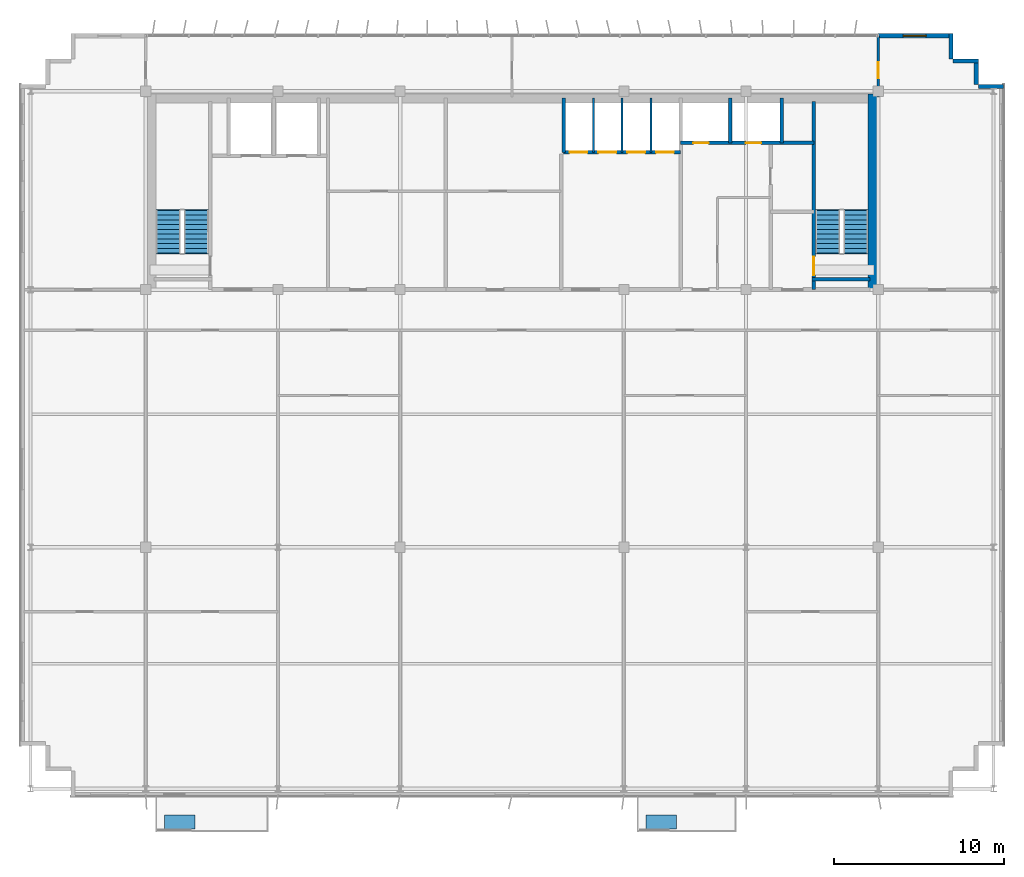
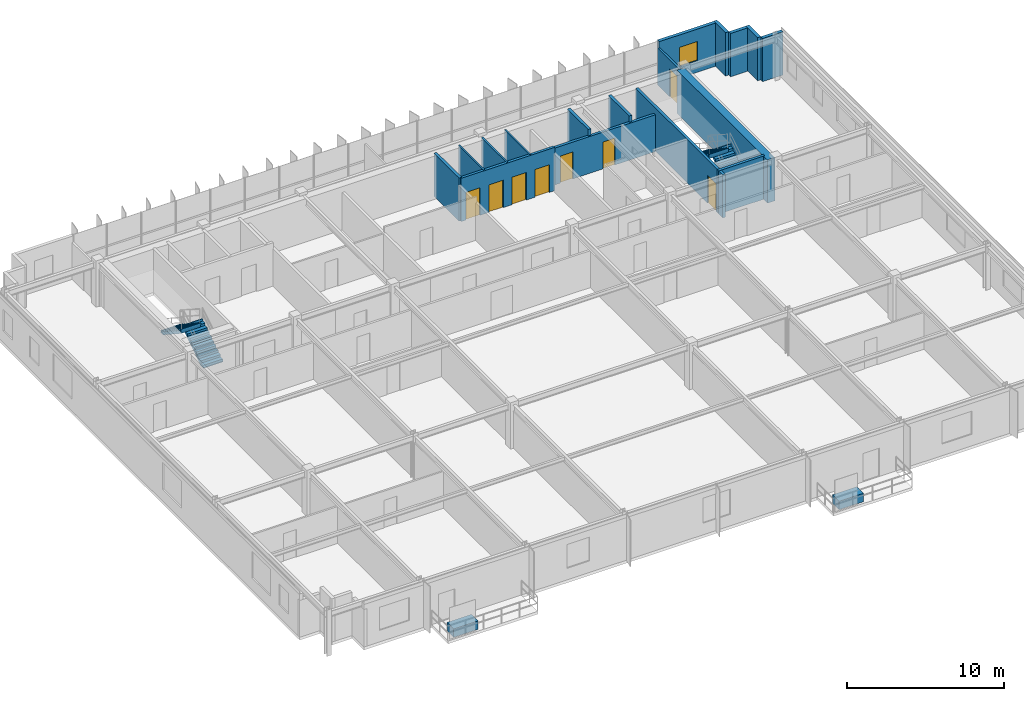
# One storey, part 19 of 21: 17 walls, 8 doors, 4 stair flights, 2 discrete accessories, 1 window, 9 openings, 2 elements without a shape of their own.
"""IFC4 building model written with IfcOpenShell, lengths in metres."""

from ifc_helpers import new_model, si_unit, direction, frame, frame_2d, origin, origin_2d, place, context, subcontext, project, spatial, polyline, rectangle, outline, extrude, source, transform, mapped, material, layer, layer_set, type_object, element, fill, aggregate, save


model = new_model("IFC4")

# Units and contexts
model_context = context("Model", 3, precision=1e-05, world=origin(), true_north=direction((0.0, 1.0)))
body_context = subcontext(model_context, "Body", "Model", "MODEL_VIEW")
ifc_project = project(units=[si_unit("LENGTHUNIT", "METRE"), si_unit("AREAUNIT", "SQUARE_METRE"), si_unit("VOLUMEUNIT", "CUBIC_METRE"), si_unit("PLANEANGLEUNIT", "RADIAN"), si_unit("MASSUNIT", "GRAM", prefix="KILO")], contexts=[model_context])

# Site, building, storey
site_placement = place(None, origin())
site = spatial("IfcSite", under=ifc_project, at=site_placement, CompositionType="ELEMENT")
building_placement = place(site_placement, origin())
building = spatial("IfcBuilding", under=site, at=building_placement, Name="Trelvane Seafront Commons", CompositionType="ELEMENT")
storey_placement = place(building_placement, frame((0.0, 0.0, 252.300048828125)))
storey = spatial("IfcBuildingStorey", under=building, at=storey_placement, Name="L65", CompositionType="ELEMENT", Elevation=252.300048828125)

# Wall, opening, window
ifc_material_1 = material(Name="Precast concrete C40/50", Category="concrete")
ifc_layer_1 = layer(ifc_material_1, 0.239990234375, Name="ARCH-WALL-EXT240")
ifc_layer_set_1 = layer_set([ifc_layer_1], Name="Precast concrete C40/50")
wall_type_1 = type_object("IfcWallType", Name="ARCH-WALL-EXT240", PredefinedType="SOLIDWALL", material=ifc_layer_set_1)
wall_1_placement = place(storey_placement, frame((58.800048828125, 48.3701171875, 0.0), z_axis=(0.0, 0.0, 1.0), x_axis=(1.0, 0.0, 0.0)))
wall_1 = element("IfcWall", 1, at=wall_1_placement, inside=storey, type_object=wall_type_1, Name="EW-L65-NE-1299", PredefinedType="SOLIDWALL", context=body_context, shape_type="SweptSolid", body=[
    extrude(rectangle(XDim=4.300048828125, YDim=0.239990234375, at=frame_2d((2.14990234375, 0.0))), origin(), (0.0, 0.0, 1.0), 3.369873046875),
])
opening_1_placement = place(wall_1_placement, frame((1.47509765625, 0.0, 0.89990234375)))
opening_1 = element("IfcOpeningElement", 2, at=opening_1_placement, cuts=wall_1, Name="Opening W09", PredefinedType="OPENING", context=body_context, shape_type="SweptSolid", body=[
    extrude(rectangle(XDim=1.35009765625, YDim=1.5, at=frame_2d((0.675048828125, 0.75))), frame((0.0, 0.1298828125, 0.0), z_axis=(0.0, -1.0, 0.0), x_axis=(1.0, 0.0, 0.0)), (0.0, 0.0, 1.0), 0.260009765625),
])
ifc_material_2 = material(Name="Low-E coastal double glazing", Category="glass")
window_type = type_object("IfcWindowType", Name="ARCH-WIN-W09", PartitioningType="SINGLE_PANEL", PredefinedType="WINDOW", material=ifc_material_2)
shared_shape_1 = source(origin(), body_context, "Body", "SweptSolid", [
    extrude(rectangle(XDim=1.35009765625, YDim=1.5, at=frame_2d((0.675048828125, 0.75))), frame((0.0, 0.030029296875, 0.0), z_axis=(0.0, -1.0, 0.0), x_axis=(1.0, 0.0, 0.0)), (0.0, 0.0, 1.0), 0.06005859375),
])
window_placement = place(opening_1_placement, origin())
window = element("IfcWindow", 3, at=window_placement, inside=storey, type_object=window_type, Name="WIN-L65-01555", OverallHeight=1.5, OverallWidth=1.35009765625, PartitioningType="SINGLE_PANEL", PredefinedType="WINDOW", context=body_context, shape_type="MappedRepresentation", body=[
    mapped(shared_shape_1, transform((0.0, 0.0, 0.0), x_axis=(1.0, 0.0, 0.0), y_axis=(0.0, 1.0, 0.0), z_axis=(0.0, 0.0, 1.0), scale=1.0)),
])
fill(opening_1, window)

# Walls
for number, where, z_axis, x_axis, name in (
    (4, (63.080078125, 48.5, 0.0), (0.0, 0.0, 1.0), (0.0, -1.0, 0.0), "EW-L65-01308"),
    (5, (63.199951171875, 46.8798828125, 0.0), (0.0, 0.0, 1.0), (1.0, 0.0, 0.0), "EW-L65-01309"),
    (6, (64.580078125, 47.0, 0.0), (0.0, 0.0, 1.0), (0.0, -1.0, 0.0), "EW-L65-01310"),
    (7, (64.699951171875, 45.3798828125, 0.0), (0.0, 0.0, 1.0), (1.0, 0.0, 0.0), "EW-L65-01311"),
):
    element("IfcWall", number, at=place(storey_placement, frame(where, z_axis=z_axis, x_axis=x_axis)), inside=storey, type_object=wall_type_1, Name=name, PredefinedType="SOLIDWALL", context=body_context, shape_type="SweptSolid", body=[
        extrude(rectangle(XDim=1.5, YDim=0.239990234375, at=frame_2d((0.75, 0.0))), origin(), (0.0, 0.0, 1.0), 3.369873046875),
    ])
ifc_material_3 = material(Name="Gypsum Drywall Acoustic Partition")
ifc_layer_2 = layer(ifc_material_3, 0.1201171875, Name="ARCH-WALL-PART120")
ifc_layer_set_2 = layer_set([ifc_layer_2], Name="Gypsum Drywall Acoustic Partition")
wall_type_2 = type_object("IfcWallType", Name="ARCH-WALL-PART120", PredefinedType="PARTITIONING", material=ifc_layer_set_2)
for number, where, z_axis, x_axis, name in (
    (8, (42.0, 41.5, 0.0), (0.0, 0.0, 1.0), (0.0, 1.0, 0.0), "W-L65-PH-DIV1-020"),
    (9, (43.699951171875, 41.5, 0.0), (0.0, 0.0, 1.0), (0.0, 1.0, 0.0), "W-L65-PH-DIV2-021"),
    (10, (45.39990234375, 41.5, 0.0), (0.0, 0.0, 1.0), (0.0, 1.0, 0.0), "W-L65-PH-DIV3-022"),
):
    element("IfcWall", number, at=place(storey_placement, frame(where, z_axis=z_axis, x_axis=x_axis)), inside=storey, type_object=wall_type_2, Name=name, PredefinedType="PARTITIONING", context=body_context, shape_type="SweptSolid", body=[
        extrude(rectangle(XDim=3.199951171875, YDim=0.1201171875, at=frame_2d((1.60009765625, 0.0))), origin(), (0.0, 0.0, 1.0), 3.369873046875),
    ])

# Wall, opening, door
ifc_layer_3 = layer(ifc_material_3, 0.14990234375, Name="ARCH-WALL-PART150")
ifc_layer_set_3 = layer_set([ifc_layer_3], Name="Gypsum Drywall Acoustic Partition")
wall_type_3 = type_object("IfcWallType", Name="ARCH-WALL-PART150", PredefinedType="PARTITIONING", material=ifc_layer_set_3)
wall_2_placement = place(storey_placement, frame((58.800048828125, 44.75, 0.0), z_axis=(0.0, 0.0, 1.0), x_axis=(0.0, 1.0, 0.0)))
wall_2 = element("IfcWall", 11, at=wall_2_placement, inside=storey, type_object=wall_type_3, Name="W-L65-N-LINK-E-039", PredefinedType="PARTITIONING", context=body_context, shape_type="SweptSolid", body=[
    extrude(rectangle(XDim=3.610107421875, YDim=0.14990234375, at=frame_2d((1.80517578125, 0.0))), origin(), (0.0, 0.0, 1.0), 2.869873046875),
])
opening_2_placement = place(wall_2_placement, frame((1.10009765625, 0.0, 0.0)))
opening_2 = element("IfcOpeningElement", 12, at=opening_2_placement, cuts=wall_2, Name="Opening FD-L65-25", PredefinedType="OPENING", context=body_context, shape_type="SweptSolid", body=[
    extrude(rectangle(XDim=0.949951171875, YDim=2.14990234375, at=frame_2d((0.47509765625, 1.074951171875))), frame((0.0, 0.0849609375, 0.0), z_axis=(0.0, -1.0, 0.0), x_axis=(1.0, 0.0, 0.0)), (0.0, 0.0, 1.0), 0.169921875),
])
ifc_material_4 = material(Name="Powder-coated aluminium frame", Category="aluminium")
door_type_1 = type_object("IfcDoorType", Name="ARCH-DR-FD60-950", OperationType="NOTDEFINED", PredefinedType="DOOR", material=ifc_material_4)
shared_shape_2 = source(origin(), body_context, "Body", "SweptSolid", [
    extrude(rectangle(XDim=0.949951171875, YDim=2.14990234375, at=frame_2d((0.47509765625, 1.074951171875))), frame((0.0, 0.02490234375, 0.0), z_axis=(0.0, -1.0, 0.0), x_axis=(1.0, 0.0, 0.0)), (0.0, 0.0, 1.0), 0.050048828125),
])
door_1_placement = place(opening_2_placement, origin())
door_1 = element("IfcDoor", 13, at=door_1_placement, inside=storey, type_object=door_type_1, Name="L65 Door 25", OperationType="SINGLE_SWING_LEFT", OverallHeight=2.14990234375, OverallWidth=0.949951171875, PredefinedType="DOOR", context=body_context, shape_type="MappedRepresentation", body=[
    mapped(shared_shape_2, transform((0.0, 0.0, 0.0), x_axis=(1.0, 0.0, 0.0), y_axis=(0.0, 1.0, 0.0), z_axis=(0.0, 0.0, 1.0), scale=1.0)),
])
fill(opening_2, door_1)

# Wall, openings, doors
ifc_material_5 = material(Name="Concrete C40/50", Category="concrete")
ifc_layer_4 = layer(ifc_material_5, 0.199951171875, Name="ARCH-WALL-SHAFT200")
ifc_layer_set_4 = layer_set([ifc_layer_4], Name="Concrete C40/50")
wall_type_4 = type_object("IfcWallType", Name="ARCH-WALL-SHAFT200", PredefinedType="SOLIDWALL", material=ifc_layer_set_4)
wall_3_placement = place(storey_placement, frame((40.25, 41.5, 0.0), z_axis=(0.0, 0.0, 1.0), x_axis=(1.0, 0.0, 0.0)))
wall_3 = element("IfcWall", 14, at=wall_3_placement, inside=storey, type_object=wall_type_4, Name="W-L65-PH-FRONT-018", PredefinedType="SOLIDWALL", context=body_context, shape_type="SweptSolid", body=[
    extrude(rectangle(XDim=6.89990234375, YDim=0.199951171875, at=frame_2d((3.449951171875, 0.0))), origin(), (0.0, 0.0, 1.0), 3.369873046875),
])
opening_3_placement = place(wall_3_placement, frame((0.35009765625, 0.0, 0.0)))
opening_3 = element("IfcOpeningElement", 15, at=opening_3_placement, cuts=wall_3, Name="Opening LD-PH1-L65", PredefinedType="OPENING", context=body_context, shape_type="SweptSolid", body=[
    extrude(rectangle(XDim=1.050048828125, YDim=2.14990234375, at=frame_2d((0.52490234375, 1.074951171875))), frame((0.0, 0.10986328125, 0.0), z_axis=(0.0, -1.0, 0.0), x_axis=(1.0, 0.0, 0.0)), (0.0, 0.0, 1.0), 0.219970703125),
])
opening_4_placement = place(wall_3_placement, frame((2.050048828125, 0.0, 0.0)))
opening_4 = element("IfcOpeningElement", 16, at=opening_4_placement, cuts=wall_3, Name="Opening LD-PH2-L65", PredefinedType="OPENING", context=body_context, shape_type="SweptSolid", body=[
    extrude(rectangle(XDim=1.050048828125, YDim=2.14990234375, at=frame_2d((0.52490234375, 1.074951171875))), frame((0.0, 0.10986328125, 0.0), z_axis=(0.0, -1.0, 0.0), x_axis=(1.0, 0.0, 0.0)), (0.0, 0.0, 1.0), 0.219970703125),
])
opening_5_placement = place(wall_3_placement, frame((3.75, 0.0, 0.0)))
opening_5 = element("IfcOpeningElement", 17, at=opening_5_placement, cuts=wall_3, Name="Opening LD-PH3-L65", PredefinedType="OPENING", context=body_context, shape_type="SweptSolid", body=[
    extrude(rectangle(XDim=1.050048828125, YDim=2.14990234375, at=frame_2d((0.52490234375, 1.074951171875))), frame((0.0, 0.10986328125, 0.0), z_axis=(0.0, -1.0, 0.0), x_axis=(1.0, 0.0, 0.0)), (0.0, 0.0, 1.0), 0.219970703125),
])
opening_6_placement = place(wall_3_placement, frame((5.449951171875, 0.0, 0.0)))
opening_6 = element("IfcOpeningElement", 18, at=opening_6_placement, cuts=wall_3, Name="Opening LD-PH4-L65", PredefinedType="OPENING", context=body_context, shape_type="SweptSolid", body=[
    extrude(rectangle(XDim=1.050048828125, YDim=2.14990234375, at=frame_2d((0.52490234375, 1.074951171875))), frame((0.0, 0.10986328125, 0.0), z_axis=(0.0, -1.0, 0.0), x_axis=(1.0, 0.0, 0.0)), (0.0, 0.0, 1.0), 0.219970703125),
])
ifc_material_6 = material(Name="Stainless steel balustrade", Category="steel")
door_type_2 = type_object("IfcDoorType", Name="ARCH-DR-LD1050", OperationType="DOUBLE_DOOR_SLIDING", PredefinedType="DOOR", material=ifc_material_6)
shared_shape_3 = source(origin(), body_context, "Body", "SweptSolid", [
    extrude(rectangle(XDim=1.050048828125, YDim=2.14990234375, at=frame_2d((0.52490234375, 1.074951171875))), frame((0.0, 0.02490234375, 0.0), z_axis=(0.0, -1.0, 0.0), x_axis=(1.0, 0.0, 0.0)), (0.0, 0.0, 1.0), 0.050048828125),
])
door_2_placement = place(opening_3_placement, origin())
door_2 = element("IfcDoor", 19, at=door_2_placement, inside=storey, type_object=door_type_2, Name="L65 Passenger Lift PH-1 Landing Door", OperationType="DOUBLE_DOOR_SLIDING", OverallHeight=2.14990234375, OverallWidth=1.050048828125, PredefinedType="DOOR", context=body_context, shape_type="MappedRepresentation", body=[
    mapped(shared_shape_3, transform((0.0, 0.0, 0.0), x_axis=(1.0, 0.0, 0.0), y_axis=(0.0, 1.0, 0.0), z_axis=(0.0, 0.0, 1.0), scale=1.0)),
])
fill(opening_3, door_2)
door_3_placement = place(opening_4_placement, origin())
door_3 = element("IfcDoor", 20, at=door_3_placement, inside=storey, type_object=door_type_2, Name="L65 Passenger Lift PH-2 Landing Door", OperationType="DOUBLE_DOOR_SLIDING", OverallHeight=2.14990234375, OverallWidth=1.050048828125, PredefinedType="DOOR", context=body_context, shape_type="MappedRepresentation", body=[
    mapped(shared_shape_3, transform((0.0, 0.0, 0.0), x_axis=(1.0, 0.0, 0.0), y_axis=(0.0, 1.0, 0.0), z_axis=(0.0, 0.0, 1.0), scale=1.0)),
])
fill(opening_4, door_3)
door_4_placement = place(opening_5_placement, origin())
door_4 = element("IfcDoor", 21, at=door_4_placement, inside=storey, type_object=door_type_2, Name="L65 Passenger Lift PH-3 Landing Door", OperationType="DOUBLE_DOOR_SLIDING", OverallHeight=2.14990234375, OverallWidth=1.050048828125, PredefinedType="DOOR", context=body_context, shape_type="MappedRepresentation", body=[
    mapped(shared_shape_3, transform((0.0, 0.0, 0.0), x_axis=(1.0, 0.0, 0.0), y_axis=(0.0, 1.0, 0.0), z_axis=(0.0, 0.0, 1.0), scale=1.0)),
])
fill(opening_5, door_4)
door_5_placement = place(opening_6_placement, origin())
door_5 = element("IfcDoor", 22, at=door_5_placement, inside=storey, type_object=door_type_2, Name="L65 Passenger Lift PH-4 Landing Door", OperationType="DOUBLE_DOOR_SLIDING", OverallHeight=2.14990234375, OverallWidth=1.050048828125, PredefinedType="DOOR", context=body_context, shape_type="MappedRepresentation", body=[
    mapped(shared_shape_3, transform((0.0, 0.0, 0.0), x_axis=(1.0, 0.0, 0.0), y_axis=(0.0, 1.0, 0.0), z_axis=(0.0, 0.0, 1.0), scale=1.0)),
])
fill(opening_6, door_5)

# Wall
wall_4_placement = place(storey_placement, frame((40.25, 41.5, 0.0), z_axis=(0.0, 0.0, 1.0), x_axis=(0.0, 1.0, 0.0)))
element("IfcWall", 23, at=wall_4_placement, inside=storey, type_object=wall_type_4, Name="W-L65-PH-WEST-SH-019", PredefinedType="SOLIDWALL", context=body_context, shape_type="SweptSolid", body=[
    extrude(rectangle(XDim=3.199951171875, YDim=0.199951171875, at=frame_2d((1.60009765625, 0.0))), origin(), (0.0, 0.0, 1.0), 3.369873046875),
])

# Wall, openings, doors
wall_5_placement = place(storey_placement, frame((47.14990234375, 42.050048828125, 0.0), z_axis=(0.0, 0.0, 1.0), x_axis=(1.0, 0.0, 0.0)))
wall_5 = element("IfcWall", 24, at=wall_5_placement, inside=storey, type_object=wall_type_4, Name="W-L65-RSR-S-027", PredefinedType="SOLIDWALL", context=body_context, shape_type="SweptSolid", body=[
    extrude(rectangle(XDim=7.85009765625, YDim=0.199951171875, at=frame_2d((3.925048828125, 0.0))), origin(), (0.0, 0.0, 1.0), 2.869873046875),
])
opening_7_placement = place(wall_5_placement, frame((0.75, 0.0, 0.0)))
opening_7 = element("IfcOpeningElement", 25, at=opening_7_placement, cuts=wall_5, Name="Opening FD-L65-15", PredefinedType="OPENING", context=body_context, shape_type="SweptSolid", body=[
    extrude(rectangle(XDim=0.89990234375, YDim=2.10009765625, at=frame_2d((0.449951171875, 1.050048828125))), frame((0.0, 0.10986328125, 0.0), z_axis=(0.0, -1.0, 0.0), x_axis=(1.0, 0.0, 0.0)), (0.0, 0.0, 1.0), 0.219970703125),
])
opening_8_placement = place(wall_5_placement, frame((3.85009765625, 0.0, 0.0)))
opening_8 = element("IfcOpeningElement", 26, at=opening_8_placement, cuts=wall_5, Name="Opening FD-L65-16", PredefinedType="OPENING", context=body_context, shape_type="SweptSolid", body=[
    extrude(rectangle(XDim=0.89990234375, YDim=2.10009765625, at=frame_2d((0.449951171875, 1.050048828125))), frame((0.0, 0.10986328125, 0.0), z_axis=(0.0, -1.0, 0.0), x_axis=(1.0, 0.0, 0.0)), (0.0, 0.0, 1.0), 0.219970703125),
])
door_type_3 = type_object("IfcDoorType", Name="ARCH-DR-FD60-900", OperationType="NOTDEFINED", PredefinedType="DOOR", material=ifc_material_4)
shared_shape_4 = source(origin(), body_context, "Body", "SweptSolid", [
    extrude(rectangle(XDim=0.89990234375, YDim=2.10009765625, at=frame_2d((0.449951171875, 1.050048828125))), frame((0.0, 0.02490234375, 0.0), z_axis=(0.0, -1.0, 0.0), x_axis=(1.0, 0.0, 0.0)), (0.0, 0.0, 1.0), 0.050048828125),
])
door_6_placement = place(opening_7_placement, origin())
door_6 = element("IfcDoor", 27, at=door_6_placement, inside=storey, type_object=door_type_3, Name="L65 Electrical Riser Access Door", OperationType="SINGLE_SWING_LEFT", OverallHeight=2.10009765625, OverallWidth=0.89990234375, PredefinedType="DOOR", context=body_context, shape_type="MappedRepresentation", body=[
    mapped(shared_shape_4, transform((0.0, 0.0, 0.0), x_axis=(1.0, 0.0, 0.0), y_axis=(0.0, 1.0, 0.0), z_axis=(0.0, 0.0, 1.0), scale=1.0)),
])
fill(opening_7, door_6)
door_7_placement = place(opening_8_placement, origin())
door_7 = element("IfcDoor", 28, at=door_7_placement, inside=storey, type_object=door_type_3, Name="L65 Mechanical Riser Access Door", OperationType="SINGLE_SWING_RIGHT", OverallHeight=2.10009765625, OverallWidth=0.89990234375, PredefinedType="DOOR", context=body_context, shape_type="MappedRepresentation", body=[
    mapped(shared_shape_4, transform((0.0, 0.0, 0.0), x_axis=(1.0, 0.0, 0.0), y_axis=(0.0, 1.0, 0.0), z_axis=(0.0, 0.0, 1.0), scale=1.0)),
])
fill(opening_8, door_7)

# Walls
for number, where, z_axis, x_axis, name in (
    (29, (50.080078125, 42.050048828125, 0.0), (0.0, 0.0, 1.0), (0.0, 1.0, 0.0), "W-L65-RSR-DIV-028"),
    (30, (53.10009765625, 42.050048828125, 0.0), (0.0, 0.0, 1.0), (0.0, 1.0, 0.0), "W-L65-RSR-E-029"),
):
    element("IfcWall", number, at=place(storey_placement, frame(where, z_axis=z_axis, x_axis=x_axis)), inside=storey, type_object=wall_type_4, Name=name, PredefinedType="SOLIDWALL", context=body_context, shape_type="SweptSolid", body=[
        extrude(rectangle(XDim=2.64990234375, YDim=0.199951171875, at=frame_2d((1.324951171875, 0.0))), origin(), (0.0, 0.0, 1.0), 3.369873046875),
    ])
ifc_material_7 = material(Name="Concrete C50/60", Category="concrete")
ifc_layer_5 = layer(ifc_material_7, 0.550048828125, Name="STR-WALL-CORE550")
ifc_layer_set_5 = layer_set([ifc_layer_5], Name="Concrete C50/60")
wall_type_5 = type_object("IfcWallType", Name="STR-WALL-CORE550", PredefinedType="SHEAR", material=ifc_layer_set_5)
wall_6_placement = place(storey_placement, frame((58.47509765625, 33.39990234375, 0.0), z_axis=(0.0, 0.0, 1.0), x_axis=(0.0, 1.0, 0.0)))
element("IfcWall", 31, at=wall_6_placement, inside=storey, type_object=wall_type_5, Name="W-L65-CE-END-003", PredefinedType="SHEAR", context=body_context, shape_type="SweptSolid", body=[
    extrude(rectangle(XDim=11.550048828125, YDim=0.550048828125, at=frame_2d((5.77490234375, 0.0))), origin(), (0.0, 0.0, 1.0), 3.369873046875),
])
ifc_layer_6 = layer(ifc_material_7, 0.199951171875, Name="STR-WALL-STAIR200")
ifc_layer_set_6 = layer_set([ifc_layer_6], Name="Concrete C50/60")
wall_type_6 = type_object("IfcWallType", Name="STR-WALL-STAIR200", PredefinedType="SHEAR", material=ifc_layer_set_6)
wall_7_placement = place(storey_placement, frame((54.89990234375, 34.0, 0.0), z_axis=(0.0, 0.0, 1.0), x_axis=(1.0, 0.0, 0.0)))
element("IfcWall", 32, at=wall_7_placement, inside=storey, type_object=wall_type_6, Name="W-L65-ST2-S-006", PredefinedType="SHEAR", context=body_context, shape_type="SweptSolid", body=[
    extrude(rectangle(XDim=3.400146484375, YDim=0.199951171875, at=frame_2d((1.7001953125, 0.0))), origin(), (0.0, 0.0, 1.0), 3.369873046875),
])

# Wall, opening, door
wall_8_placement = place(storey_placement, frame((55.0, 33.39990234375, 0.0), z_axis=(0.0, 0.0, 1.0), x_axis=(0.0, 1.0, 0.0)))
wall_8 = element("IfcWall", 33, at=wall_8_placement, inside=storey, type_object=wall_type_6, Name="W-L65-ST2-W-007", PredefinedType="SHEAR", context=body_context, shape_type="SweptSolid", body=[
    extrude(rectangle(XDim=11.10009765625, YDim=0.199951171875, at=frame_2d((5.550048828125, 0.0))), origin(), (0.0, 0.0, 1.0), 3.369873046875),
])
opening_9_placement = place(wall_8_placement, frame((0.85009765625, 0.0, 0.0)))
opening_9 = element("IfcOpeningElement", 34, at=opening_9_placement, cuts=wall_8, Name="Opening ST-D2-L65", PredefinedType="OPENING", context=body_context, shape_type="SweptSolid", body=[
    extrude(rectangle(XDim=1.10009765625, YDim=2.14990234375, at=frame_2d((0.550048828125, 1.074951171875))), frame((0.0, 0.10986328125, 0.0), z_axis=(0.0, -1.0, 0.0), x_axis=(1.0, 0.0, 0.0)), (0.0, 0.0, 1.0), 0.219970703125),
])
door_type_4 = type_object("IfcDoorType", Name="ARCH-DR-FD90-1100", OperationType="NOTDEFINED", PredefinedType="DOOR", material=ifc_material_4)
shared_shape_5 = source(origin(), body_context, "Body", "SweptSolid", [
    extrude(rectangle(XDim=1.10009765625, YDim=2.14990234375, at=frame_2d((0.550048828125, 1.074951171875))), frame((0.0, 0.02490234375, 0.0), z_axis=(0.0, -1.0, 0.0), x_axis=(1.0, 0.0, 0.0)), (0.0, 0.0, 1.0), 0.050048828125),
])
door_8_placement = place(opening_9_placement, origin())
door_8 = element("IfcDoor", 35, at=door_8_placement, inside=storey, type_object=door_type_4, Name="L65 Stair ST-2 Vestibule Fire Door", OperationType="SINGLE_SWING_RIGHT", OverallHeight=2.14990234375, OverallWidth=1.10009765625, PredefinedType="DOOR", context=body_context, shape_type="MappedRepresentation", body=[
    mapped(shared_shape_5, transform((0.0, 0.0, 0.0), x_axis=(1.0, 0.0, 0.0), y_axis=(0.0, 1.0, 0.0), z_axis=(0.0, 0.0, 1.0), scale=1.0)),
])
fill(opening_9, door_8)

# Stair, stair flights
stair_type_1 = type_object("IfcStairType", Name="ARCH-STR-ST-1-R20-180", PredefinedType="HALF_TURN_STAIR", material=ifc_material_5)
stair_1_placement = place(storey_placement, origin())
stair_1 = element("IfcStair", 36, at=stair_1_placement, inside=storey, type_object=stair_type_1, Name="L65 West Protected Firefighting Exit Stair ST-1", PredefinedType="HALF_TURN_STAIR")
stair_flight_type_1 = type_object("IfcStairFlightType", Name="ARCH-FLG-ST-1-R20-180", PredefinedType="STRAIGHT", material=ifc_material_5)
shared_shape_6 = source(origin(), body_context, "Body", "SweptSolid", [
    extrude(outline(polyline([(-0.050048828125, -0.02001953125), (-0.050048828125, 0.0), (0.0, 0.0), (0.0, 0.179931640625), (0.280029296875, 0.179931640625), (0.280029296875, 0.360107421875), (0.56005859375, 0.360107421875), (0.56005859375, 0.5400390625), (0.840087890625, 0.5400390625), (0.840087890625, 0.719970703125), (1.1201171875, 0.719970703125), (1.1201171875, 0.89990234375), (1.39990234375, 0.89990234375), (1.39990234375, 1.080078125), (1.679931640625, 1.080078125), (1.679931640625, 1.260009765625), (1.9599609375, 1.260009765625), (1.9599609375, 1.43994140625), (2.239990234375, 1.43994140625), (2.239990234375, 1.6201171875), (2.52001953125, 1.6201171875), (2.52001953125, 1.800048828125), (2.570068359375, 1.800048828125), (2.570068359375, 1.650146484375), (2.52001953125, 1.44189453125), (0.277099609375, -0.02001953125), (-0.050048828125, -0.02001953125)])), frame((0.0, 0.72509765625, 0.0), z_axis=(0.0, -1.0, 0.0), x_axis=(1.0, 0.0, 0.0)), (0.0, 0.0, 1.0), 1.449951171875),
])
stair_flight_1_placement = place(storey_placement, frame((18.574951171875, 35.550048828125, 0.0), z_axis=(0.0, 0.0, 1.0), x_axis=(0.0, 1.0, 0.0)))
stair_flight_1 = element("IfcStairFlight", 37, at=stair_flight_1_placement, type_object=stair_flight_type_1, Name="ST-1 flight 1", NumberOfRisers=10, NumberOfTreads=9, PredefinedType="STRAIGHT", RiserHeight=0.18, TreadLength=0.28, context=body_context, shape_type="MappedRepresentation", body=[
    mapped(shared_shape_6, transform((0.0, 0.0, 0.0), x_axis=(1.0, 0.0, 0.0), y_axis=(0.0, 1.0, 0.0), z_axis=(0.0, 0.0, 1.0), scale=1.0)),
])
stair_flight_2_placement = place(storey_placement, frame((16.925048828125, 38.070068359375, 1.800048828125), z_axis=(0.0, 0.0, 1.0), x_axis=(0.0, -1.0, 0.0)))
stair_flight_2 = element("IfcStairFlight", 38, at=stair_flight_2_placement, type_object=stair_flight_type_1, Name="ST-1 flight 2", NumberOfRisers=10, NumberOfTreads=9, PredefinedType="STRAIGHT", RiserHeight=0.18, TreadLength=0.28, context=body_context, shape_type="MappedRepresentation", body=[
    mapped(shared_shape_6, transform((0.0, 0.0, 0.0), x_axis=(1.0, 0.0, 0.0), y_axis=(0.0, 1.0, 0.0), z_axis=(0.0, 0.0, 1.0), scale=1.0)),
])
aggregate(stair_1, [stair_flight_1, stair_flight_2])

stair_type_2 = type_object("IfcStairType", Name="ARCH-STR-ST-2-R20-180", PredefinedType="HALF_TURN_STAIR", material=ifc_material_5)
stair_2_placement = place(storey_placement, origin())
stair_2 = element("IfcStair", 39, at=stair_2_placement, inside=storey, type_object=stair_type_2, Name="L65 East Protected Firefighting Exit Stair ST-2", PredefinedType="HALF_TURN_STAIR")
stair_flight_type_2 = type_object("IfcStairFlightType", Name="ARCH-FLG-ST-2-R20-180", PredefinedType="STRAIGHT", material=ifc_material_5)
stair_flight_3_placement = place(storey_placement, frame((57.47509765625, 35.550048828125, 0.0), z_axis=(0.0, 0.0, 1.0), x_axis=(0.0, 1.0, 0.0)))
stair_flight_3 = element("IfcStairFlight", 40, at=stair_flight_3_placement, type_object=stair_flight_type_2, Name="ST-2 flight 1", NumberOfRisers=10, NumberOfTreads=9, PredefinedType="STRAIGHT", RiserHeight=0.18, TreadLength=0.28, context=body_context, shape_type="MappedRepresentation", body=[
    mapped(shared_shape_6, transform((0.0, 0.0, 0.0), x_axis=(1.0, 0.0, 0.0), y_axis=(0.0, 1.0, 0.0), z_axis=(0.0, 0.0, 1.0), scale=1.0)),
])
stair_flight_4_placement = place(storey_placement, frame((55.824951171875, 38.070068359375, 1.800048828125), z_axis=(0.0, 0.0, 1.0), x_axis=(0.0, -1.0, 0.0)))
stair_flight_4 = element("IfcStairFlight", 41, at=stair_flight_4_placement, type_object=stair_flight_type_2, Name="ST-2 flight 2", NumberOfRisers=10, NumberOfTreads=9, PredefinedType="STRAIGHT", RiserHeight=0.18, TreadLength=0.28, context=body_context, shape_type="MappedRepresentation", body=[
    mapped(shared_shape_6, transform((0.0, 0.0, 0.0), x_axis=(1.0, 0.0, 0.0), y_axis=(0.0, 1.0, 0.0), z_axis=(0.0, 0.0, 1.0), scale=1.0)),
])
aggregate(stair_2, [stair_flight_3, stair_flight_4])

# Discrete accessories
discrete_accessory_type = type_object("IfcDiscreteAccessoryType", Name="ARCH-ACC-PLANTER", PredefinedType="USERDEFINED", material=ifc_material_1)
shared_shape_7 = source(origin(), body_context, "Body", "SweptSolid", [
    extrude(rectangle(XDim=1.800048828125, YDim=0.85009765625, at=origin_2d()), origin(), (0.0, 0.0, 1.0), 0.64990234375),
])
for number, where, z_axis, x_axis, name in (
    (42, (17.60009765625, 2.0, 0.0), (0.0, 0.0, 1.0), (1.0, 0.0, 0.0), "PLN-L65-B0-067"),
    (43, (46.0, 2.0, 0.0), (0.0, 0.0, 1.0), (1.0, 0.0, 0.0), "PLN-L65-B1-068"),
):
    element("IfcDiscreteAccessory", number, at=place(storey_placement, frame(where, z_axis=z_axis, x_axis=x_axis)), inside=storey, type_object=discrete_accessory_type, Name=name, ObjectType="BALCONY TREE PLANTER", PredefinedType="USERDEFINED", context=body_context, shape_type="MappedRepresentation", body=[
        mapped(shared_shape_7, transform((0.0, 0.0, 0.0), x_axis=(1.0, 0.0, 0.0), y_axis=(0.0, 1.0, 0.0), z_axis=(0.0, 0.0, 1.0), scale=1.0)),
    ])

save(model, "model.ifc")
